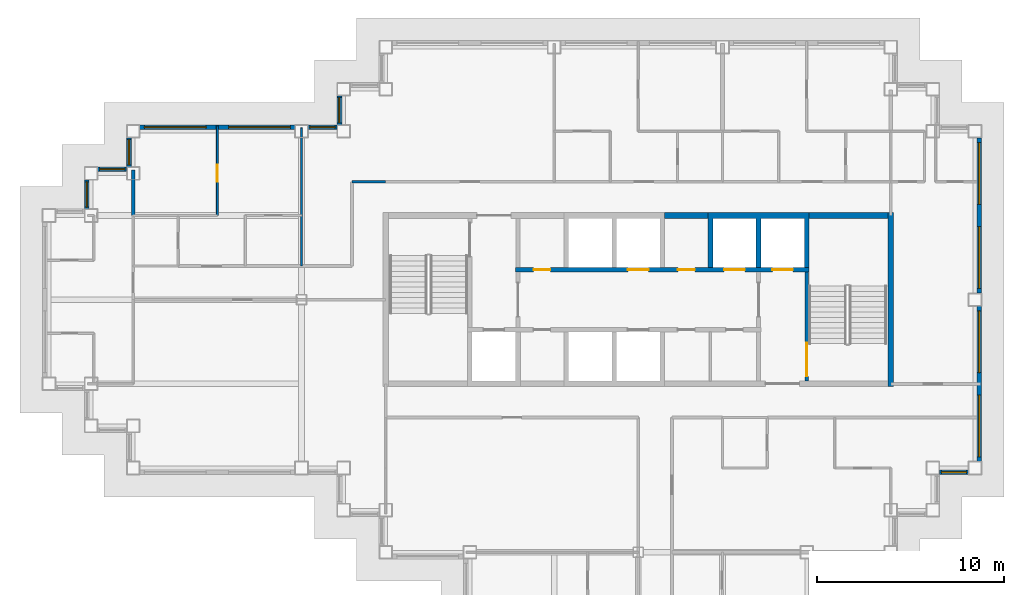
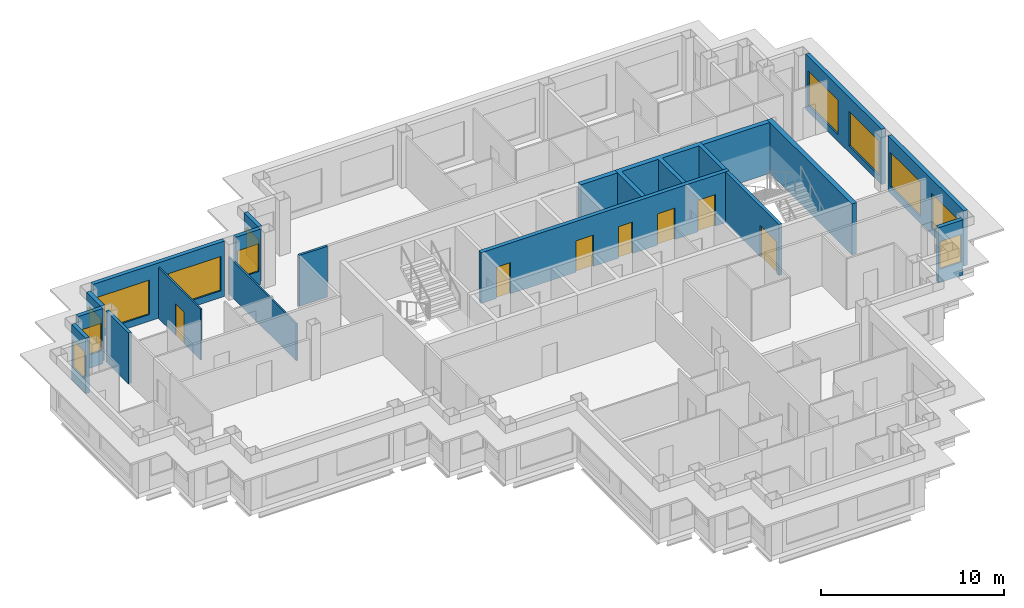
# One storey, part 6 of 12: 19 walls, 12 windows, 7 doors, 19 openings.
"""IFC4 building model written with IfcOpenShell, lengths in metres."""

from ifc_helpers import new_model, si_unit, direction, frame, frame_2d, origin, place, context, subcontext, project, spatial, polyline, rectangle, outline, extrude, material, layer, layer_set, type_object, element, fill, save


model = new_model("IFC4")

# Units and contexts
model_context = context("Model", 3, precision=1e-05, world=origin(), true_north=direction((0.0, 1.0)))
body_context = subcontext(model_context, "Body", "Model", "MODEL_VIEW")
ifc_project = project(units=[si_unit("LENGTHUNIT", "METRE"), si_unit("AREAUNIT", "SQUARE_METRE"), si_unit("VOLUMEUNIT", "CUBIC_METRE"), si_unit("PLANEANGLEUNIT", "RADIAN"), si_unit("MASSUNIT", "GRAM", prefix="KILO")], contexts=[model_context])

# Site, building, storey
site_placement = place(None, origin())
site = spatial("IfcSite", under=ifc_project, at=site_placement, CompositionType="ELEMENT")
building_placement = place(site_placement, origin())
building = spatial("IfcBuilding", under=site, at=building_placement, Name="Caravel Reach Hotel and Residences", CompositionType="ELEMENT")
storey_placement = place(building_placement, frame((0.0, 0.0, 196.10009765625)))
storey = spatial("IfcBuildingStorey", under=building, at=storey_placement, Name="L49", CompositionType="ELEMENT", Elevation=196.10009765625)

# Walls
ifc_material_1 = material(Name="Concrete C60", Category="concrete")
ifc_layer_1 = layer(ifc_material_1, 0.300048828125)
ifc_layer_set_1 = layer_set([ifc_layer_1], Name="Core wall 300 mm EI 120")
wall_type_1 = type_object("IfcWallType", Name="Core wall 300 mm EI 120", PredefinedType="SHEAR", material=ifc_layer_set_1)
wall_1_placement = place(storey_placement, frame((32.91064453125, 31.5, 0.0), z_axis=(0.0, 0.0, 1.0), x_axis=(1.0, 0.0, 0.0)))
element("IfcWall", 1, at=wall_1_placement, inside=storey, type_object=wall_type_1, Name="L49 core wall N2", PredefinedType="SHEAR", context=body_context, shape_type="SweptSolid", body=[
    extrude(rectangle(XDim=2.321533203125, YDim=0.300048828125, at=frame_2d((1.16064453125, 0.0))), origin(), (0.0, 0.0, 1.0), 3.39990234375),
])
wall_2_placement = place(storey_placement, frame((40.625, 31.5, 0.0), z_axis=(0.0, 0.0, 1.0), x_axis=(1.0, 0.0, 0.0)))
element("IfcWall", 2, at=wall_2_placement, inside=storey, type_object=wall_type_1, Name="L49 core wall N3", PredefinedType="SHEAR", context=body_context, shape_type="SweptSolid", body=[
    extrude(rectangle(XDim=4.22509765625, YDim=0.300048828125, at=frame_2d((2.112548828125, 0.0))), origin(), (0.0, 0.0, 1.0), 3.39990234375),
])
wall_3_placement = place(storey_placement, frame((45.0, 22.35009765625, 0.0), z_axis=(0.0, 0.0, 1.0), x_axis=(0.0, 1.0, 0.0)))
element("IfcWall", 3, at=wall_3_placement, inside=storey, type_object=wall_type_1, Name="L49 core wall E", PredefinedType="SHEAR", context=body_context, shape_type="SweptSolid", body=[
    extrude(rectangle(XDim=9.2998046875, YDim=0.300048828125, at=frame_2d((4.64990234375, 0.0))), origin(), (0.0, 0.0, 1.0), 3.39990234375),
])
ifc_material_2 = material(Name="Gypsum board on steel stud, fire-rated", Category="steel")
ifc_layer_2 = layer(ifc_material_2, 0.14990234375)
ifc_layer_set_2 = layer_set([ifc_layer_2], Name="Corridor wall 150 mm EI 60")
wall_type_2 = type_object("IfcWallType", Name="Corridor wall 150 mm EI 60", PredefinedType="PARTITIONING", material=ifc_layer_set_2)
wall_4_placement = place(storey_placement, frame((16.199951171875, 33.300048828125, 0.0), z_axis=(0.0, 0.0, 1.0), x_axis=(1.0, 0.0, 0.0)))
element("IfcWall", 4, at=wall_4_placement, inside=storey, type_object=wall_type_2, Name="L49 wall w011", PredefinedType="PARTITIONING", context=body_context, shape_type="SweptSolid", body=[
    extrude(rectangle(XDim=1.799072265625, YDim=0.14990234375, at=frame_2d((0.8994140625, 0.0))), origin(), (0.0, 0.0, 1.0), 3.39990234375),
])

# Wall, opening, window
ifc_material_3 = material(Name="Insulated rainscreen wall, aluminium cladding", Category="aluminium")
ifc_layer_3 = layer(ifc_material_3, 0.25)
ifc_layer_set_3 = layer_set([ifc_layer_3], Name="EW1 Tower rainscreen wall")
wall_type_3 = type_object("IfcWallType", Name="EW1 Tower rainscreen wall", PredefinedType="SOLIDWALL", material=ifc_layer_set_3)
wall_5_placement = place(storey_placement, frame((47.60009765625, 17.77490234375, 0.0), z_axis=(0.0, 0.0, 1.0), x_axis=(1.0, 0.0, 0.0)))
wall_5 = element("IfcWall", 5, at=wall_5_placement, inside=storey, type_object=wall_type_3, Name="External wall L49 S5.1", PredefinedType="SOLIDWALL", context=body_context, shape_type="SweptSolid", body=[
    extrude(rectangle(XDim=1.5498046875, YDim=0.25, at=frame_2d((0.77490234375, 0.0))), origin(), (0.0, 0.0, 1.0), 3.699951171875),
])
opening_1_placement = place(wall_5_placement, frame((0.10009765625, 0.0, 0.89990234375)))
opening_1 = element("IfcOpeningElement", 6, at=opening_1_placement, cuts=wall_5, Name="Opening WN21", PredefinedType="OPENING", context=body_context, shape_type="SweptSolid", body=[
    extrude(rectangle(XDim=1.35009765625, YDim=1.85009765625, at=frame_2d((0.675048828125, 0.925048828125))), frame((0.0, 0.135009765625, 0.0), z_axis=(0.0, -1.0, 0.0), x_axis=(1.0, 0.0, 0.0)), (0.0, 0.0, 1.0), 0.27001953125),
])
ifc_material_4 = material(Name="Dark low-e glazing in black aluminium frame", Category="aluminium")
window_type_1 = type_object("IfcWindowType", Name="Residence bedroom window 1350 x 1850", PartitioningType="SINGLE_PANEL", PredefinedType="WINDOW", material=ifc_material_4)
window_1_placement = place(opening_1_placement, origin())
window_1 = element("IfcWindow", 7, at=window_1_placement, inside=storey, type_object=window_type_1, Name="Window L49 S5.1.1", OverallHeight=1.85009765625, OverallWidth=1.35009765625, PartitioningType="SINGLE_PANEL", PredefinedType="WINDOW", context=body_context, shape_type="SweptSolid", body=[
    extrude(rectangle(XDim=1.35009765625, YDim=1.85009765625, at=frame_2d((0.675048828125, 0.925048828125))), frame((0.0, 0.030029296875, 0.0), z_axis=(0.0, -1.0, 0.0), x_axis=(1.0, 0.0, 0.0)), (0.0, 0.0, 1.0), 0.06005859375),
])
fill(opening_1, window_1)

# Wall, openings, windows
wall_6_placement = place(storey_placement, frame((49.72509765625, 18.35009765625, 0.0), z_axis=(0.0, 0.0, 1.0), x_axis=(0.0, 1.0, 0.0)))
wall_6 = element("IfcWall", 8, at=wall_6_placement, inside=storey, type_object=wall_type_3, Name="External wall L49 E6.1", PredefinedType="SOLIDWALL", context=body_context, shape_type="SweptSolid", body=[
    extrude(rectangle(XDim=8.2998046875, YDim=0.25, at=frame_2d((4.14990234375, 0.0))), origin(), (0.0, 0.0, 1.0), 3.699951171875),
])
opening_2_placement = place(wall_6_placement, frame((0.25, 0.0, 0.449951171875)))
opening_2 = element("IfcOpeningElement", 9, at=opening_2_placement, cuts=wall_6, Name="Opening WN15", PredefinedType="OPENING", context=body_context, shape_type="SweptSolid", body=[
    extrude(rectangle(XDim=3.300048828125, YDim=2.300048828125, at=frame_2d((1.64990234375, 1.14990234375))), frame((0.0, 0.135009765625, 0.0), z_axis=(0.0, -1.0, 0.0), x_axis=(1.0, 0.0, 0.0)), (0.0, 0.0, 1.0), 0.27001953125),
])
opening_3_placement = place(wall_6_placement, frame((4.75, 0.0, 0.449951171875)))
opening_3 = element("IfcOpeningElement", 10, at=opening_3_placement, cuts=wall_6, Name="Opening WN15", PredefinedType="OPENING", context=body_context, shape_type="SweptSolid", body=[
    extrude(rectangle(XDim=3.300048828125, YDim=2.300048828125, at=frame_2d((1.64990234375, 1.14990234375))), frame((0.0, 0.135009765625, 0.0), z_axis=(0.0, -1.0, 0.0), x_axis=(1.0, 0.0, 0.0)), (0.0, 0.0, 1.0), 0.27001953125),
])
ifc_material_5 = material(Name="Dark low-e glazing in black aluminium frame", Category="aluminium")
window_type_2 = type_object("IfcWindowType", Name="Residence living window 3300 x 2300", PartitioningType="SINGLE_PANEL", PredefinedType="WINDOW", material=ifc_material_5)
window_2_placement = place(opening_2_placement, origin())
window_2 = element("IfcWindow", 11, at=window_2_placement, inside=storey, type_object=window_type_2, Name="Window L49 E6.1.1", OverallHeight=2.300048828125, OverallWidth=3.300048828125, PartitioningType="SINGLE_PANEL", PredefinedType="WINDOW", context=body_context, shape_type="SweptSolid", body=[
    extrude(rectangle(XDim=3.300048828125, YDim=2.300048828125, at=frame_2d((1.64990234375, 1.14990234375))), frame((0.0, 0.030029296875, 0.0), z_axis=(0.0, -1.0, 0.0), x_axis=(1.0, 0.0, 0.0)), (0.0, 0.0, 1.0), 0.06005859375),
])
fill(opening_2, window_2)
window_3_placement = place(opening_3_placement, origin())
window_3 = element("IfcWindow", 12, at=window_3_placement, inside=storey, type_object=window_type_2, Name="Window L49 E6.1.2", OverallHeight=2.300048828125, OverallWidth=3.300048828125, PartitioningType="SINGLE_PANEL", PredefinedType="WINDOW", context=body_context, shape_type="SweptSolid", body=[
    extrude(rectangle(XDim=3.300048828125, YDim=2.300048828125, at=frame_2d((1.64990234375, 1.14990234375))), frame((0.0, 0.030029296875, 0.0), z_axis=(0.0, -1.0, 0.0), x_axis=(1.0, 0.0, 0.0)), (0.0, 0.0, 1.0), 0.06005859375),
])
fill(opening_3, window_3)

wall_7_placement = place(storey_placement, frame((49.72509765625, 27.35009765625, 0.0), z_axis=(0.0, 0.0, 1.0), x_axis=(0.0, 1.0, 0.0)))
wall_7 = element("IfcWall", 13, at=wall_7_placement, inside=storey, type_object=wall_type_3, Name="External wall L49 E6.2", PredefinedType="SOLIDWALL", context=body_context, shape_type="SweptSolid", body=[
    extrude(rectangle(XDim=8.2998046875, YDim=0.25, at=frame_2d((4.14990234375, 0.0))), origin(), (0.0, 0.0, 1.0), 3.699951171875),
])
opening_4_placement = place(wall_7_placement, frame((0.25, 0.0, 0.449951171875)))
opening_4 = element("IfcOpeningElement", 14, at=opening_4_placement, cuts=wall_7, Name="Opening WN15", PredefinedType="OPENING", context=body_context, shape_type="SweptSolid", body=[
    extrude(rectangle(XDim=3.300048828125, YDim=2.300048828125, at=frame_2d((1.64990234375, 1.14990234375))), frame((0.0, 0.135009765625, 0.0), z_axis=(0.0, -1.0, 0.0), x_axis=(1.0, 0.0, 0.0)), (0.0, 0.0, 1.0), 0.27001953125),
])
opening_5_placement = place(wall_7_placement, frame((4.75, 0.0, 0.449951171875)))
opening_5 = element("IfcOpeningElement", 15, at=opening_5_placement, cuts=wall_7, Name="Opening WN15", PredefinedType="OPENING", context=body_context, shape_type="SweptSolid", body=[
    extrude(rectangle(XDim=3.300048828125, YDim=2.300048828125, at=frame_2d((1.64990234375, 1.14990234375))), frame((0.0, 0.135009765625, 0.0), z_axis=(0.0, -1.0, 0.0), x_axis=(1.0, 0.0, 0.0)), (0.0, 0.0, 1.0), 0.27001953125),
])
window_4_placement = place(opening_4_placement, origin())
window_4 = element("IfcWindow", 16, at=window_4_placement, inside=storey, type_object=window_type_2, Name="Window L49 E6.2.1", OverallHeight=2.300048828125, OverallWidth=3.300048828125, PartitioningType="SINGLE_PANEL", PredefinedType="WINDOW", context=body_context, shape_type="SweptSolid", body=[
    extrude(rectangle(XDim=3.300048828125, YDim=2.300048828125, at=frame_2d((1.64990234375, 1.14990234375))), frame((0.0, 0.030029296875, 0.0), z_axis=(0.0, -1.0, 0.0), x_axis=(1.0, 0.0, 0.0)), (0.0, 0.0, 1.0), 0.06005859375),
])
fill(opening_4, window_4)
window_5_placement = place(opening_5_placement, origin())
window_5 = element("IfcWindow", 17, at=window_5_placement, inside=storey, type_object=window_type_2, Name="Window L49 E6.2.2", OverallHeight=2.300048828125, OverallWidth=3.300048828125, PartitioningType="SINGLE_PANEL", PredefinedType="WINDOW", context=body_context, shape_type="SweptSolid", body=[
    extrude(rectangle(XDim=3.300048828125, YDim=2.300048828125, at=frame_2d((1.64990234375, 1.14990234375))), frame((0.0, 0.030029296875, 0.0), z_axis=(0.0, -1.0, 0.0), x_axis=(1.0, 0.0, 0.0)), (0.0, 0.0, 1.0), 0.06005859375),
])
fill(opening_5, window_5)

# Wall, opening, window
wall_8_placement = place(storey_placement, frame((15.52490234375, 37.89990234375, 0.0), z_axis=(0.0, 0.0, 1.0), x_axis=(0.0, -1.0, 0.0)))
wall_8 = element("IfcWall", 18, at=wall_8_placement, inside=storey, type_object=wall_type_3, Name="External wall L49 W14.1", PredefinedType="SOLIDWALL", context=body_context, shape_type="SweptSolid", body=[
    extrude(rectangle(XDim=1.5498046875, YDim=0.25, at=frame_2d((0.77490234375, 0.0))), origin(), (0.0, 0.0, 1.0), 3.699951171875),
])
opening_6_placement = place(wall_8_placement, frame((0.10009765625, 0.0, 0.89990234375)))
opening_6 = element("IfcOpeningElement", 19, at=opening_6_placement, cuts=wall_8, Name="Opening WN21", PredefinedType="OPENING", context=body_context, shape_type="SweptSolid", body=[
    extrude(rectangle(XDim=1.35009765625, YDim=1.85009765625, at=frame_2d((0.675048828125, 0.925048828125))), frame((0.0, 0.135009765625, 0.0), z_axis=(0.0, -1.0, 0.0), x_axis=(1.0, 0.0, 0.0)), (0.0, 0.0, 1.0), 0.27001953125),
])
window_6_placement = place(opening_6_placement, origin())
window_6 = element("IfcWindow", 20, at=window_6_placement, inside=storey, type_object=window_type_1, Name="Window L49 W14.1.1", OverallHeight=1.85009765625, OverallWidth=1.35009765625, PartitioningType="SINGLE_PANEL", PredefinedType="WINDOW", context=body_context, shape_type="SweptSolid", body=[
    extrude(rectangle(XDim=1.35009765625, YDim=1.85009765625, at=frame_2d((0.675048828125, 0.925048828125))), frame((0.0, 0.030029296875, 0.0), z_axis=(0.0, -1.0, 0.0), x_axis=(1.0, 0.0, 0.0)), (0.0, 0.0, 1.0), 0.06005859375),
])
fill(opening_6, window_6)

wall_9_placement = place(storey_placement, frame((15.39990234375, 36.22509765625, 0.0), z_axis=(0.0, 0.0, 1.0), x_axis=(-1.0, 0.0, 0.0)))
wall_9 = element("IfcWall", 21, at=wall_9_placement, inside=storey, type_object=wall_type_3, Name="External wall L49 N15.1", PredefinedType="SOLIDWALL", context=body_context, shape_type="SweptSolid", body=[
    extrude(rectangle(XDim=1.5498046875, YDim=0.25, at=frame_2d((0.77490234375, 0.0))), origin(), (0.0, 0.0, 1.0), 3.699951171875),
])
opening_7_placement = place(wall_9_placement, frame((0.10009765625, 0.0, 0.89990234375)))
opening_7 = element("IfcOpeningElement", 22, at=opening_7_placement, cuts=wall_9, Name="Opening WN21", PredefinedType="OPENING", context=body_context, shape_type="SweptSolid", body=[
    extrude(rectangle(XDim=1.35009765625, YDim=1.85009765625, at=frame_2d((0.675048828125, 0.925048828125))), frame((0.0, 0.135009765625, 0.0), z_axis=(0.0, -1.0, 0.0), x_axis=(1.0, 0.0, 0.0)), (0.0, 0.0, 1.0), 0.27001953125),
])
window_7_placement = place(opening_7_placement, origin())
window_7 = element("IfcWindow", 23, at=window_7_placement, inside=storey, type_object=window_type_1, Name="Window L49 N15.1.1", OverallHeight=1.85009765625, OverallWidth=1.35009765625, PartitioningType="SINGLE_PANEL", PredefinedType="WINDOW", context=body_context, shape_type="SweptSolid", body=[
    extrude(rectangle(XDim=1.35009765625, YDim=1.85009765625, at=frame_2d((0.675048828125, 0.925048828125))), frame((0.0, 0.030029296875, 0.0), z_axis=(0.0, -1.0, 0.0), x_axis=(1.0, 0.0, 0.0)), (0.0, 0.0, 1.0), 0.06005859375),
])
fill(opening_7, window_7)

# Wall, openings, windows
wall_10_placement = place(storey_placement, frame((13.14990234375, 36.22509765625, 0.0), z_axis=(0.0, 0.0, 1.0), x_axis=(-1.0, 0.0, 0.0)))
wall_10 = element("IfcWall", 24, at=wall_10_placement, inside=storey, type_object=wall_type_3, Name="External wall L49 N15.2", PredefinedType="SOLIDWALL", context=body_context, shape_type="SweptSolid", body=[
    extrude(rectangle(XDim=8.2998046875, YDim=0.25, at=frame_2d((4.14990234375, 0.0))), origin(), (0.0, 0.0, 1.0), 3.699951171875),
])
opening_8_placement = place(wall_10_placement, frame((0.25, 0.0, 0.449951171875)))
opening_8 = element("IfcOpeningElement", 25, at=opening_8_placement, cuts=wall_10, Name="Opening WN15", PredefinedType="OPENING", context=body_context, shape_type="SweptSolid", body=[
    extrude(rectangle(XDim=3.300048828125, YDim=2.300048828125, at=frame_2d((1.64990234375, 1.14990234375))), frame((0.0, 0.135009765625, 0.0), z_axis=(0.0, -1.0, 0.0), x_axis=(1.0, 0.0, 0.0)), (0.0, 0.0, 1.0), 0.27001953125),
])
opening_9_placement = place(wall_10_placement, frame((4.75, 0.0, 0.449951171875)))
opening_9 = element("IfcOpeningElement", 26, at=opening_9_placement, cuts=wall_10, Name="Opening WN15", PredefinedType="OPENING", context=body_context, shape_type="SweptSolid", body=[
    extrude(rectangle(XDim=3.300048828125, YDim=2.300048828125, at=frame_2d((1.64990234375, 1.14990234375))), frame((0.0, 0.135009765625, 0.0), z_axis=(0.0, -1.0, 0.0), x_axis=(1.0, 0.0, 0.0)), (0.0, 0.0, 1.0), 0.27001953125),
])
window_8_placement = place(opening_8_placement, origin())
window_8 = element("IfcWindow", 27, at=window_8_placement, inside=storey, type_object=window_type_2, Name="Window L49 N15.2.1", OverallHeight=2.300048828125, OverallWidth=3.300048828125, PartitioningType="SINGLE_PANEL", PredefinedType="WINDOW", context=body_context, shape_type="SweptSolid", body=[
    extrude(rectangle(XDim=3.300048828125, YDim=2.300048828125, at=frame_2d((1.64990234375, 1.14990234375))), frame((0.0, 0.030029296875, 0.0), z_axis=(0.0, -1.0, 0.0), x_axis=(1.0, 0.0, 0.0)), (0.0, 0.0, 1.0), 0.06005859375),
])
fill(opening_8, window_8)
window_9_placement = place(opening_9_placement, origin())
window_9 = element("IfcWindow", 28, at=window_9_placement, inside=storey, type_object=window_type_2, Name="Window L49 N15.2.2", OverallHeight=2.300048828125, OverallWidth=3.300048828125, PartitioningType="SINGLE_PANEL", PredefinedType="WINDOW", context=body_context, shape_type="SweptSolid", body=[
    extrude(rectangle(XDim=3.300048828125, YDim=2.300048828125, at=frame_2d((1.64990234375, 1.14990234375))), frame((0.0, 0.030029296875, 0.0), z_axis=(0.0, -1.0, 0.0), x_axis=(1.0, 0.0, 0.0)), (0.0, 0.0, 1.0), 0.06005859375),
])
fill(opening_9, window_9)

# Wall, opening, window
wall_11_placement = place(storey_placement, frame((4.27490234375, 35.64990234375, 0.0), z_axis=(0.0, 0.0, 1.0), x_axis=(0.0, -1.0, 0.0)))
wall_11 = element("IfcWall", 29, at=wall_11_placement, inside=storey, type_object=wall_type_3, Name="External wall L49 W16.1", PredefinedType="SOLIDWALL", context=body_context, shape_type="SweptSolid", body=[
    extrude(rectangle(XDim=1.5498046875, YDim=0.25, at=frame_2d((0.77490234375, 0.0))), origin(), (0.0, 0.0, 1.0), 3.699951171875),
])
opening_10_placement = place(wall_11_placement, frame((0.10009765625, 0.0, 0.89990234375)))
opening_10 = element("IfcOpeningElement", 30, at=opening_10_placement, cuts=wall_11, Name="Opening WN21", PredefinedType="OPENING", context=body_context, shape_type="SweptSolid", body=[
    extrude(rectangle(XDim=1.35009765625, YDim=1.85009765625, at=frame_2d((0.675048828125, 0.925048828125))), frame((0.0, 0.135009765625, 0.0), z_axis=(0.0, -1.0, 0.0), x_axis=(1.0, 0.0, 0.0)), (0.0, 0.0, 1.0), 0.27001953125),
])
window_10_placement = place(opening_10_placement, origin())
window_10 = element("IfcWindow", 31, at=window_10_placement, inside=storey, type_object=window_type_1, Name="Window L49 W16.1.1", OverallHeight=1.85009765625, OverallWidth=1.35009765625, PartitioningType="SINGLE_PANEL", PredefinedType="WINDOW", context=body_context, shape_type="SweptSolid", body=[
    extrude(rectangle(XDim=1.35009765625, YDim=1.85009765625, at=frame_2d((0.675048828125, 0.925048828125))), frame((0.0, 0.030029296875, 0.0), z_axis=(0.0, -1.0, 0.0), x_axis=(1.0, 0.0, 0.0)), (0.0, 0.0, 1.0), 0.06005859375),
])
fill(opening_10, window_10)

wall_12_placement = place(storey_placement, frame((4.14990234375, 33.97509765625, 0.0), z_axis=(0.0, 0.0, 1.0), x_axis=(-1.0, 0.0, 0.0)))
wall_12 = element("IfcWall", 32, at=wall_12_placement, inside=storey, type_object=wall_type_3, Name="External wall L49 N17.1", PredefinedType="SOLIDWALL", context=body_context, shape_type="SweptSolid", body=[
    extrude(rectangle(XDim=1.5498046875, YDim=0.25, at=frame_2d((0.77490234375, 0.0))), origin(), (0.0, 0.0, 1.0), 3.699951171875),
])
opening_11_placement = place(wall_12_placement, frame((0.10009765625, 0.0, 0.89990234375)))
opening_11 = element("IfcOpeningElement", 33, at=opening_11_placement, cuts=wall_12, Name="Opening WN21", PredefinedType="OPENING", context=body_context, shape_type="SweptSolid", body=[
    extrude(rectangle(XDim=1.35009765625, YDim=1.85009765625, at=frame_2d((0.675048828125, 0.925048828125))), frame((0.0, 0.135009765625, 0.0), z_axis=(0.0, -1.0, 0.0), x_axis=(1.0, 0.0, 0.0)), (0.0, 0.0, 1.0), 0.27001953125),
])
window_11_placement = place(opening_11_placement, origin())
window_11 = element("IfcWindow", 34, at=window_11_placement, inside=storey, type_object=window_type_1, Name="Window L49 N17.1.1", OverallHeight=1.85009765625, OverallWidth=1.35009765625, PartitioningType="SINGLE_PANEL", PredefinedType="WINDOW", context=body_context, shape_type="SweptSolid", body=[
    extrude(rectangle(XDim=1.35009765625, YDim=1.85009765625, at=frame_2d((0.675048828125, 0.925048828125))), frame((0.0, 0.030029296875, 0.0), z_axis=(0.0, -1.0, 0.0), x_axis=(1.0, 0.0, 0.0)), (0.0, 0.0, 1.0), 0.06005859375),
])
fill(opening_11, window_11)

wall_13_placement = place(storey_placement, frame((2.02490234375, 33.39990234375, 0.0), z_axis=(0.0, 0.0, 1.0), x_axis=(0.0, -1.0, 0.0)))
wall_13 = element("IfcWall", 35, at=wall_13_placement, inside=storey, type_object=wall_type_3, Name="External wall L49 W18.1", PredefinedType="SOLIDWALL", context=body_context, shape_type="SweptSolid", body=[
    extrude(rectangle(XDim=1.5498046875, YDim=0.25, at=frame_2d((0.77490234375, 0.0))), origin(), (0.0, 0.0, 1.0), 3.699951171875),
])
opening_12_placement = place(wall_13_placement, frame((0.10009765625, 0.0, 0.89990234375)))
opening_12 = element("IfcOpeningElement", 36, at=opening_12_placement, cuts=wall_13, Name="Opening WN21", PredefinedType="OPENING", context=body_context, shape_type="SweptSolid", body=[
    extrude(rectangle(XDim=1.35009765625, YDim=1.85009765625, at=frame_2d((0.675048828125, 0.925048828125))), frame((0.0, 0.135009765625, 0.0), z_axis=(0.0, -1.0, 0.0), x_axis=(1.0, 0.0, 0.0)), (0.0, 0.0, 1.0), 0.27001953125),
])
window_12_placement = place(opening_12_placement, origin())
window_12 = element("IfcWindow", 37, at=window_12_placement, inside=storey, type_object=window_type_1, Name="Window L49 W18.1.1", OverallHeight=1.85009765625, OverallWidth=1.35009765625, PartitioningType="SINGLE_PANEL", PredefinedType="WINDOW", context=body_context, shape_type="SweptSolid", body=[
    extrude(rectangle(XDim=1.35009765625, YDim=1.85009765625, at=frame_2d((0.675048828125, 0.925048828125))), frame((0.0, 0.030029296875, 0.0), z_axis=(0.0, -1.0, 0.0), x_axis=(1.0, 0.0, 0.0)), (0.0, 0.0, 1.0), 0.06005859375),
])
fill(opening_12, window_12)

# Wall
ifc_material_6 = material(Name="Gypsum board on steel stud", Category="steel")
ifc_layer_4 = layer(ifc_material_6, 0.10009765625)
ifc_layer_set_4 = layer_set([ifc_layer_4], Name="Partition 100 mm")
wall_type_4 = type_object("IfcWallType", Name="Partition 100 mm", PredefinedType="PARTITIONING", material=ifc_layer_set_4)
wall_14_placement = place(storey_placement, frame((13.5, 28.801025390625, 0.0), z_axis=(0.0, 0.0, 1.0), x_axis=(0.0, 1.0, 0.0)))
element("IfcWall", 38, at=wall_14_placement, inside=storey, type_object=wall_type_4, Name="L49 wall w049", PredefinedType="PARTITIONING", context=body_context, shape_type="SweptSolid", body=[
    extrude(rectangle(XDim=7.388916015625, YDim=0.10009765625, at=frame_2d((3.6943359375, 0.0))), origin(), (0.0, 0.0, 1.0), 2.47998046875),
])

# Wall, opening, door
wall_15_placement = place(storey_placement, frame((9.0, 31.5, 0.0), z_axis=(0.0, 0.0, 1.0), x_axis=(0.0, 1.0, 0.0)))
wall_15 = element("IfcWall", 39, at=wall_15_placement, inside=storey, type_object=wall_type_4, Name="L49 wall w069", PredefinedType="PARTITIONING", context=body_context, shape_type="SweptSolid", body=[
    extrude(rectangle(XDim=4.7900390625, YDim=0.10009765625, at=frame_2d((2.39501953125, 0.0))), origin(), (0.0, 0.0, 1.0), 3.39990234375),
])
opening_13_placement = place(wall_15_placement, frame((1.800048828125, 0.0, 0.0)))
opening_13 = element("IfcOpeningElement", 40, at=opening_13_placement, cuts=wall_15, Name="Opening D49-029", PredefinedType="OPENING", context=body_context, shape_type="SweptSolid", body=[
    extrude(rectangle(XDim=0.89990234375, YDim=2.10009765625, at=frame_2d((0.449951171875, 1.050048828125))), frame((0.0, 0.06005859375, 0.0), z_axis=(0.0, -1.0, 0.0), x_axis=(1.0, 0.0, 0.0)), (0.0, 0.0, 1.0), 0.1201171875),
])
ifc_material_7 = material(Name="Timber and steel door leaf", Category="steel")
door_type_1 = type_object("IfcDoorType", Name="Door 900 x 2100 timber", OperationType="SINGLE_SWING_LEFT", PredefinedType="DOOR", material=ifc_material_7)
door_1_placement = place(opening_13_placement, origin())
door_1 = element("IfcDoor", 41, at=door_1_placement, inside=storey, type_object=door_type_1, Name="door D49-029", OperationType="SINGLE_SWING_RIGHT", OverallHeight=2.10009765625, OverallWidth=0.89990234375, PredefinedType="DOOR", context=body_context, shape_type="SweptSolid", body=[
    extrude(rectangle(XDim=0.89990234375, YDim=2.10009765625, at=frame_2d((0.449951171875, 1.050048828125))), frame((0.0, 0.02490234375, 0.0), z_axis=(0.0, -1.0, 0.0), x_axis=(1.0, 0.0, 0.0)), (0.0, 0.0, 1.0), 0.050048828125),
])
fill(opening_13, door_1)

# Walls
ifc_material_8 = material(Name="Autoclaved aerated block wall")
ifc_layer_5 = layer(ifc_material_8, 0.199951171875)
ifc_layer_set_5 = layer_set([ifc_layer_5], Name="Party wall 200 mm EI 60")
wall_type_5 = type_object("IfcWallType", Name="Party wall 200 mm EI 60", PredefinedType="PARTITIONING", material=ifc_layer_set_5)
wall_16_placement = place(storey_placement, frame((4.5, 31.5009765625, 0.0), z_axis=(0.0, 0.0, 1.0), x_axis=(0.0, 1.0, 0.0)))
element("IfcWall", 42, at=wall_16_placement, inside=storey, type_object=wall_type_5, Name="L49 wall w075", PredefinedType="PARTITIONING", context=body_context, shape_type="SweptSolid", body=[
    extrude(rectangle(XDim=2.43896484375, YDim=0.199951171875, at=frame_2d((1.219482421875, 0.0))), origin(), (0.0, 0.0, 1.0), 3.39990234375),
])
ifc_material_9 = material(Name="Concrete C60", Category="concrete")
ifc_layer_6 = layer(ifc_material_9, 0.25)
ifc_layer_set_6 = layer_set([ifc_layer_6], Name="Shaft wall 250 mm EI 120")
wall_type_6 = type_object("IfcWallType", Name="Shaft wall 250 mm EI 120", PredefinedType="SHEAR", material=ifc_layer_set_6)
wall_17_placement = place(storey_placement, origin())
element("IfcWall", 43, at=wall_17_placement, inside=storey, type_object=wall_type_6, Name="L49 lift shaft wall N2", PredefinedType="SHEAR", context=body_context, shape_type="SweptSolid", body=[
    extrude(outline(polyline([(35.232177734375, 28.72509765625), (35.482177734375, 28.72509765625), (35.482177734375, 31.35009765625), (37.803466796875, 31.35009765625), (37.803466796875, 28.72509765625), (38.053466796875, 28.72509765625), (38.053466796875, 31.35009765625), (40.375, 31.35009765625), (40.375, 28.72509765625), (40.625, 28.72509765625), (40.625, 31.64990234375), (35.232177734375, 31.64990234375), (35.232177734375, 28.72509765625)])), origin(), (0.0, 0.0, 1.0), 3.39990234375),
])

# Wall, openings, doors
wall_18_placement = place(storey_placement, frame((24.946533203125, 28.60009765625, 0.0), z_axis=(0.0, 0.0, 1.0), x_axis=(1.0, 0.0, 0.0)))
wall_18 = element("IfcWall", 44, at=wall_18_placement, inside=storey, type_object=wall_type_6, Name="L49 lobby wall N1", PredefinedType="SHEAR", context=body_context, shape_type="SweptSolid", body=[
    extrude(rectangle(XDim=15.678466796875, YDim=0.25, at=frame_2d((7.83935546875, 0.0))), origin(), (0.0, 0.0, 1.0), 3.39990234375),
])
opening_14_placement = place(wall_18_placement, frame((6.003662109375, 0.0, 0.0)))
opening_14 = element("IfcOpeningElement", 45, at=opening_14_placement, cuts=wall_18, Name="Opening D49-002", PredefinedType="OPENING", context=body_context, shape_type="SweptSolid", body=[
    extrude(rectangle(XDim=1.10009765625, YDim=2.10009765625, at=frame_2d((0.550048828125, 1.050048828125))), frame((0.0, 0.135009765625, 0.0), z_axis=(0.0, -1.0, 0.0), x_axis=(1.0, 0.0, 0.0)), (0.0, 0.0, 1.0), 0.27001953125),
])
opening_15_placement = place(wall_18_placement, frame((11.146484375, 0.0, 0.0)))
opening_15 = element("IfcOpeningElement", 46, at=opening_15_placement, cuts=wall_18, Name="Opening D49-003", PredefinedType="OPENING", context=body_context, shape_type="SweptSolid", body=[
    extrude(rectangle(XDim=1.10009765625, YDim=2.10009765625, at=frame_2d((0.550048828125, 1.050048828125))), frame((0.0, 0.135009765625, 0.0), z_axis=(0.0, -1.0, 0.0), x_axis=(1.0, 0.0, 0.0)), (0.0, 0.0, 1.0), 0.27001953125),
])
opening_16_placement = place(wall_18_placement, frame((13.718017578125, 0.0, 0.0)))
opening_16 = element("IfcOpeningElement", 47, at=opening_16_placement, cuts=wall_18, Name="Opening D49-005", PredefinedType="OPENING", context=body_context, shape_type="SweptSolid", body=[
    extrude(rectangle(XDim=1.10009765625, YDim=2.10009765625, at=frame_2d((0.550048828125, 1.050048828125))), frame((0.0, 0.135009765625, 0.0), z_axis=(0.0, -1.0, 0.0), x_axis=(1.0, 0.0, 0.0)), (0.0, 0.0, 1.0), 0.27001953125),
])
opening_17_placement = place(wall_18_placement, frame((0.960693359375, 0.0, 0.0)))
opening_17 = element("IfcOpeningElement", 48, at=opening_17_placement, cuts=wall_18, Name="Opening D49-009", PredefinedType="OPENING", context=body_context, shape_type="SweptSolid", body=[
    extrude(rectangle(XDim=0.89990234375, YDim=2.10009765625, at=frame_2d((0.449951171875, 1.050048828125))), frame((0.0, 0.135009765625, 0.0), z_axis=(0.0, -1.0, 0.0), x_axis=(1.0, 0.0, 0.0)), (0.0, 0.0, 1.0), 0.27001953125),
])
opening_18_placement = place(wall_18_placement, frame((8.675048828125, 0.0, 0.0)))
opening_18 = element("IfcOpeningElement", 49, at=opening_18_placement, cuts=wall_18, Name="Opening D49-010", PredefinedType="OPENING", context=body_context, shape_type="SweptSolid", body=[
    extrude(rectangle(XDim=0.89990234375, YDim=2.10009765625, at=frame_2d((0.449951171875, 1.050048828125))), frame((0.0, 0.135009765625, 0.0), z_axis=(0.0, -1.0, 0.0), x_axis=(1.0, 0.0, 0.0)), (0.0, 0.0, 1.0), 0.27001953125),
])
ifc_material_10 = material(Name="Stainless steel landing door", Category="steel")
door_type_2 = type_object("IfcDoorType", Name="Landing door LD 1100 x 2100 sliding", OperationType="DOUBLE_DOOR_SLIDING", PredefinedType="DOOR", material=ifc_material_10)
door_2_placement = place(opening_14_placement, origin())
door_2 = element("IfcDoor", 50, at=door_2_placement, inside=storey, type_object=door_type_2, Name="MP2 landing door", OperationType="DOUBLE_DOOR_SLIDING", OverallHeight=2.10009765625, OverallWidth=1.10009765625, PredefinedType="DOOR", context=body_context, shape_type="SweptSolid", body=[
    extrude(rectangle(XDim=1.10009765625, YDim=2.10009765625, at=frame_2d((0.550048828125, 1.050048828125))), frame((0.0, 0.02490234375, 0.0), z_axis=(0.0, -1.0, 0.0), x_axis=(1.0, 0.0, 0.0)), (0.0, 0.0, 1.0), 0.050048828125),
])
fill(opening_14, door_2)
door_3_placement = place(opening_15_placement, origin())
door_3 = element("IfcDoor", 51, at=door_3_placement, inside=storey, type_object=door_type_2, Name="MP3 landing door", OperationType="DOUBLE_DOOR_SLIDING", OverallHeight=2.10009765625, OverallWidth=1.10009765625, PredefinedType="DOOR", context=body_context, shape_type="SweptSolid", body=[
    extrude(rectangle(XDim=1.10009765625, YDim=2.10009765625, at=frame_2d((0.550048828125, 1.050048828125))), frame((0.0, 0.02490234375, 0.0), z_axis=(0.0, -1.0, 0.0), x_axis=(1.0, 0.0, 0.0)), (0.0, 0.0, 1.0), 0.050048828125),
])
fill(opening_15, door_3)
door_4_placement = place(opening_16_placement, origin())
door_4 = element("IfcDoor", 52, at=door_4_placement, inside=storey, type_object=door_type_2, Name="FL2 landing door", OperationType="DOUBLE_DOOR_SLIDING", OverallHeight=2.10009765625, OverallWidth=1.10009765625, PredefinedType="DOOR", context=body_context, shape_type="SweptSolid", body=[
    extrude(rectangle(XDim=1.10009765625, YDim=2.10009765625, at=frame_2d((0.550048828125, 1.050048828125))), frame((0.0, 0.02490234375, 0.0), z_axis=(0.0, -1.0, 0.0), x_axis=(1.0, 0.0, 0.0)), (0.0, 0.0, 1.0), 0.050048828125),
])
fill(opening_16, door_4)
ifc_material_11 = material(Name="Steel fire door leaf", Category="steel")
door_type_3 = type_object("IfcDoorType", Name="Riser door 900 x 2100 EI 60", OperationType="SINGLE_SWING_LEFT", PredefinedType="DOOR", material=ifc_material_11)
door_5_placement = place(opening_17_placement, origin())
door_5 = element("IfcDoor", 53, at=door_5_placement, inside=storey, type_object=door_type_3, Name="Cleaners' room door", OperationType="SINGLE_SWING_LEFT", OverallHeight=2.10009765625, OverallWidth=0.89990234375, PredefinedType="DOOR", context=body_context, shape_type="SweptSolid", body=[
    extrude(rectangle(XDim=0.89990234375, YDim=2.10009765625, at=frame_2d((0.449951171875, 1.050048828125))), frame((0.0, 0.02490234375, 0.0), z_axis=(0.0, -1.0, 0.0), x_axis=(1.0, 0.0, 0.0)), (0.0, 0.0, 1.0), 0.050048828125),
])
fill(opening_17, door_5)
door_6_placement = place(opening_18_placement, origin())
door_6 = element("IfcDoor", 54, at=door_6_placement, inside=storey, type_object=door_type_3, Name="Electrical riser room door", OperationType="SINGLE_SWING_LEFT", OverallHeight=2.10009765625, OverallWidth=0.89990234375, PredefinedType="DOOR", context=body_context, shape_type="SweptSolid", body=[
    extrude(rectangle(XDim=0.89990234375, YDim=2.10009765625, at=frame_2d((0.449951171875, 1.050048828125))), frame((0.0, 0.02490234375, 0.0), z_axis=(0.0, -1.0, 0.0), x_axis=(1.0, 0.0, 0.0)), (0.0, 0.0, 1.0), 0.050048828125),
])
fill(opening_18, door_6)

# Wall, opening, door
ifc_material_12 = material(Name="Concrete C60", Category="concrete")
ifc_layer_7 = layer(ifc_material_12, 0.199951171875)
ifc_layer_set_7 = layer_set([ifc_layer_7], Name="Stair enclosure wall 200 mm EI 120")
wall_type_7 = type_object("IfcWallType", Name="Stair enclosure wall 200 mm EI 120", PredefinedType="SHEAR", material=ifc_layer_set_7)
wall_19_placement = place(storey_placement, frame((40.5, 22.64990234375, 0.0), z_axis=(0.0, 0.0, 1.0), x_axis=(0.0, 1.0, 0.0)))
wall_19 = element("IfcWall", 55, at=wall_19_placement, inside=storey, type_object=wall_type_7, Name="L49 stair B wall", PredefinedType="SHEAR", context=body_context, shape_type="SweptSolid", body=[
    extrude(rectangle(XDim=5.8251953125, YDim=0.199951171875, at=frame_2d((2.91259765625, 0.0))), origin(), (0.0, 0.0, 1.0), 3.39990234375),
])
opening_19_placement = place(wall_19_placement, frame((0.25, 0.0, 0.0)))
opening_19 = element("IfcOpeningElement", 56, at=opening_19_placement, cuts=wall_19, Name="Opening D49-012", PredefinedType="OPENING", context=body_context, shape_type="SweptSolid", body=[
    extrude(rectangle(XDim=1.800048828125, YDim=2.10009765625, at=frame_2d((0.89990234375, 1.050048828125))), frame((0.0, 0.10986328125, 0.0), z_axis=(0.0, -1.0, 0.0), x_axis=(1.0, 0.0, 0.0)), (0.0, 0.0, 1.0), 0.219970703125),
])
ifc_material_13 = material(Name="Steel fire door leaf", Category="steel")
door_type_4 = type_object("IfcDoorType", Name="Stair door pair 1800 x 2100 EI 90", OperationType="DOUBLE_DOOR_SINGLE_SWING", PredefinedType="DOOR", material=ifc_material_13)
door_7_placement = place(opening_19_placement, origin())
door_7 = element("IfcDoor", 57, at=door_7_placement, inside=storey, type_object=door_type_4, Name="stair B door pair", OperationType="DOUBLE_DOOR_SINGLE_SWING", OverallHeight=2.10009765625, OverallWidth=1.800048828125, PredefinedType="DOOR", context=body_context, shape_type="SweptSolid", body=[
    extrude(rectangle(XDim=1.800048828125, YDim=2.10009765625, at=frame_2d((0.89990234375, 1.050048828125))), frame((0.0, 0.02490234375, 0.0), z_axis=(0.0, -1.0, 0.0), x_axis=(1.0, 0.0, 0.0)), (0.0, 0.0, 1.0), 0.050048828125),
])
fill(opening_19, door_7)

save(model, "model.ifc")
